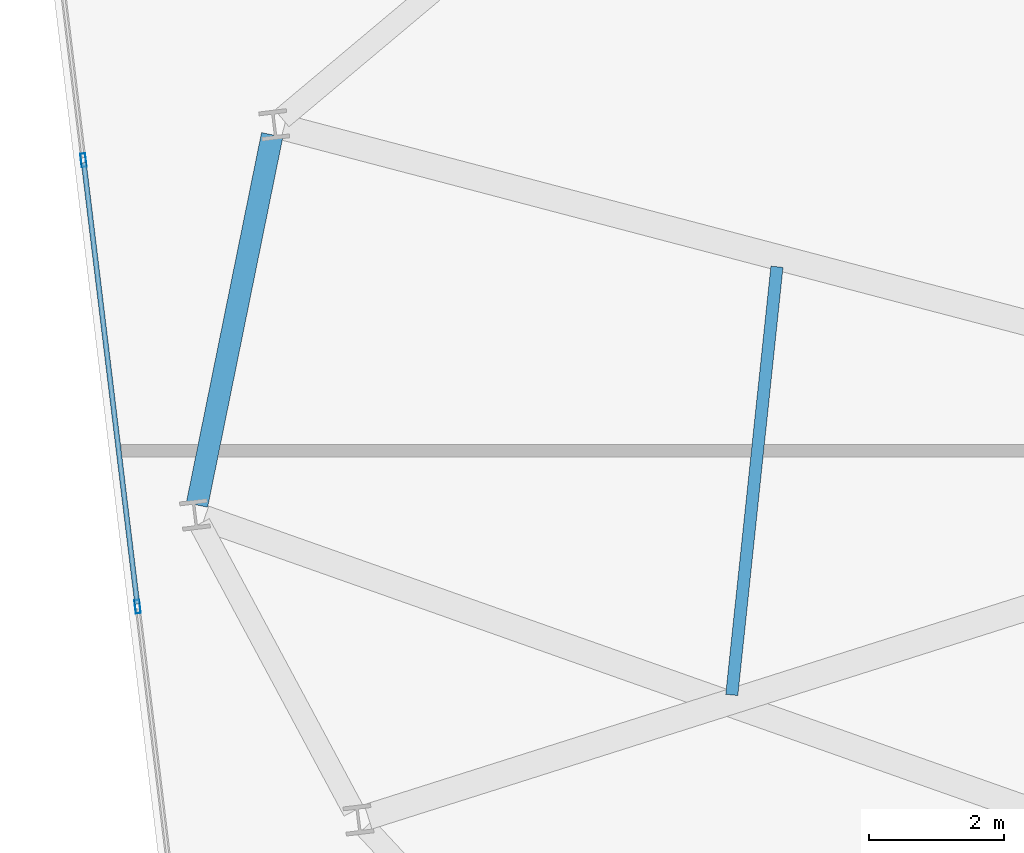
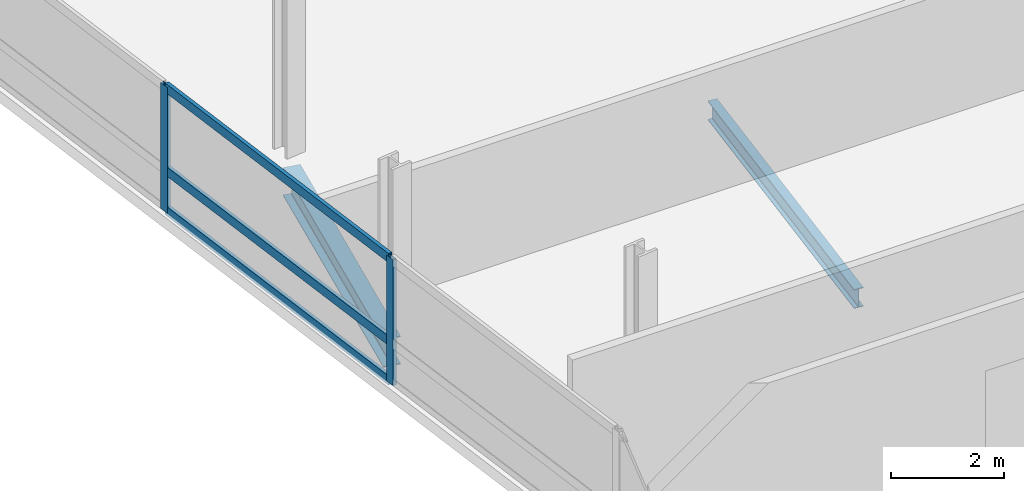
# One storey, part 6 of 23: 5 members, 2 beams, 1 element without a shape of its own.
"""IFC4 building model written with IfcOpenShell, lengths in metres."""

from ifc_helpers import new_model, si_unit, direction, frame, origin, origin_2d, place, context, subcontext, project, spatial, hollow_rectangle, i_section, extrude, material, layer, layer_set, material_profile, profile_set, type_object, element, aggregate, save


model = new_model("IFC4")

# Units and contexts
model_context = context("Model", 3, precision=1e-05, world=origin(), true_north=direction((0.0, 1.0)))
body_context = subcontext(model_context, "Body", "Model", "MODEL_VIEW")
ifc_project = project(units=[si_unit("LENGTHUNIT", "METRE"), si_unit("AREAUNIT", "SQUARE_METRE"), si_unit("VOLUMEUNIT", "CUBIC_METRE"), si_unit("PLANEANGLEUNIT", "RADIAN"), si_unit("MASSUNIT", "GRAM", prefix="KILO")], contexts=[model_context])

# Site, building, storey
site_placement = place(None, origin())
site = spatial("IfcSite", under=ifc_project, at=site_placement, CompositionType="ELEMENT")
building_placement = place(site_placement, origin())
building = spatial("IfcBuilding", under=site, at=building_placement, Name="Varnelok Gate Tower", CompositionType="ELEMENT")
storey_placement = place(building_placement, frame((0.0, 0.0, 170.89990234375)))
storey = spatial("IfcBuildingStorey", under=building, at=storey_placement, Name="L43", CompositionType="ELEMENT", Elevation=170.89990234375)

# Beams
ifc_material_1 = material(Name="Structural Steel ASTM A992 Grade 50", Category="steel")
ifc_material_profile_1 = material_profile(ifc_material_1, i_section(OverallWidth=0.180908203125, OverallDepth=0.4169921875, WebThickness=0.010986328125, FlangeThickness=0.018310546875, FilletRadius=0.013916015625, at=origin_2d()), Name="W16X57")
ifc_profile_set_1 = profile_set([ifc_material_profile_1], Name="Structural Steel ASTM A992 Grade 50")
beam_type_1 = type_object("IfcBeamType", Name="BM-JST-W16X57", PredefinedType="JOIST", material=ifc_profile_set_1)
beam_1_placement = place(storey_placement, frame((13.3916015625, 29.432861328125, -0.45849609375), z_axis=(-0.104937140232, -0.994478856789, 0.0), x_axis=(0.994478856789, -0.104937140232, 0.0)))
element("IfcBeam", 1, at=beam_1_placement, inside=storey, type_object=beam_type_1, Name="L43 Sector Floor Joist 11", PredefinedType="JOIST", context=body_context, shape_type="SweptSolid", body=[
    extrude(i_section(OverallWidth=0.180908203125, OverallDepth=0.4169921875, WebThickness=0.010986328125, FlangeThickness=0.018310546875, FilletRadius=0.013916015625, at=origin_2d()), origin(), (0.0, 0.0, 1.0), 6.395751953125),
])
ifc_material_profile_2 = material_profile(ifc_material_1, i_section(OverallWidth=0.323974609375, OverallDepth=0.611083984375, WebThickness=0.0126953125, FlangeThickness=0.01904296875, FilletRadius=0.01806640625, at=origin_2d()), Name="W24X104")
ifc_profile_set_2 = profile_set([ifc_material_profile_2], Name="Structural Steel ASTM A992 Grade 50")
beam_type_2 = type_object("IfcBeamType", Name="BM-SPN-W24X104", PredefinedType="SPANDREL", material=ifc_profile_set_2)
beam_2_placement = place(storey_placement, frame((5.893310546875, 31.393798828125, -0.555419921875), z_axis=(-0.199143476404, -0.97997034435, 0.0), x_axis=(0.97997034435, -0.199143476404, 0.0)))
element("IfcBeam", 2, at=beam_2_placement, inside=storey, type_object=beam_type_2, Name="L43 Perimeter Spandrel Beam 14", PredefinedType="SPANDREL", context=body_context, shape_type="SweptSolid", body=[
    extrude(i_section(OverallWidth=0.323974609375, OverallDepth=0.611083984375, WebThickness=0.0126953125, FlangeThickness=0.01904296875, FilletRadius=0.01806640625, at=origin_2d()), origin(), (0.0, 0.0, 1.0), 5.6123046875),
])

# Curtain wall, members
ifc_material_2 = material(Name="Anodized Aluminum Alloy 6063-T6", Category="aluminium")
ifc_layer = layer(ifc_material_2, 0.179931640625)
ifc_layer_set = layer_set([ifc_layer], Name="Anodized Aluminum Alloy 6063-T6")
curtain_wall_type = type_object("IfcCurtainWallType", Name="CW4-RESIDENCE-VISION", PredefinedType="USERDEFINED", material=ifc_layer_set)
curtain_wall_placement = place(storey_placement, origin())
curtain_wall = element("IfcCurtainWall", 3, at=curtain_wall_placement, inside=storey, type_object=curtain_wall_type, Name="L43 West End Vision Curtain Wall", ObjectType="UNITISED CURTAIN WALL", PredefinedType="USERDEFINED")
ifc_material_profile_3 = material_profile(ifc_material_2, hollow_rectangle(XDim=0.074951171875, YDim=0.199951171875, WallThickness=0.00390625, at=origin_2d()), Name="ALU200X75X4")
ifc_profile_set_3 = profile_set([ifc_material_profile_3], Name="Anodized Aluminum Alloy 6063-T6")
member_type_1 = type_object("IfcMemberType", Name="CW-MULL-200", PredefinedType="MULLION", material=ifc_profile_set_3)
member_1_placement = place(storey_placement, frame((3.8935546875, 24.384521484375, 0.0), z_axis=(0.0, 0.0, 1.0), x_axis=(-0.992732188751, -0.120344511371, 0.0)))
member_1 = element("IfcMember", 4, at=member_1_placement, type_object=member_type_1, Name="CW4 mullion 4", PredefinedType="MULLION", context=body_context, shape_type="SweptSolid", body=[
    extrude(hollow_rectangle(XDim=0.074951171875, YDim=0.199951171875, WallThickness=0.00390625, at=origin_2d()), origin(), (0.0, 0.0, 1.0), 2.72998046875),
])
member_2_placement = place(storey_placement, frame((3.089599609375, 31.015869140625, 0.0), z_axis=(0.0, 0.0, 1.0), x_axis=(-0.992732188751, -0.120344511371, 0.0)))
member_2 = element("IfcMember", 5, at=member_2_placement, type_object=member_type_1, Name="CW4 mullion 5", PredefinedType="MULLION", context=body_context, shape_type="SweptSolid", body=[
    extrude(hollow_rectangle(XDim=0.074951171875, YDim=0.199951171875, WallThickness=0.00390625, at=origin_2d()), origin(), (0.0, 0.0, 1.0), 2.72998046875),
])
ifc_material_profile_4 = material_profile(ifc_material_2, hollow_rectangle(XDim=0.074951171875, YDim=0.199951171875, WallThickness=0.00390625, at=origin_2d()), Name="ALU200X75X4")
ifc_profile_set_4 = profile_set([ifc_material_profile_4], Name="Anodized Aluminum Alloy 6063-T6")
member_type_2 = type_object("IfcMemberType", Name="CW-TRAN-200", PredefinedType="USERDEFINED", material=ifc_profile_set_4)
member_3_placement = place(storey_placement, frame((3.88916015625, 24.421630859375, 0.03759765625), z_axis=(-0.120353445289, 0.992731105691, 0.0), x_axis=(-0.992731105691, -0.120353445289, 0.0)))
member_3 = element("IfcMember", 6, at=member_3_placement, type_object=member_type_2, Name="CW4 transom 4.1", ObjectType="TRANSOM", PredefinedType="USERDEFINED", context=body_context, shape_type="SweptSolid", body=[
    extrude(hollow_rectangle(XDim=0.074951171875, YDim=0.199951171875, WallThickness=0.00390625, at=origin_2d()), origin(), (0.0, 0.0, 1.0), 6.60498046875),
])
member_4_placement = place(storey_placement, frame((3.88916015625, 24.421630859375, 0.900146484375), z_axis=(-0.120353445289, 0.992731105691, 0.0), x_axis=(-0.992731105691, -0.120353445289, 0.0)))
member_4 = element("IfcMember", 7, at=member_4_placement, type_object=member_type_2, Name="CW4 transom 4.2", ObjectType="TRANSOM", PredefinedType="USERDEFINED", context=body_context, shape_type="SweptSolid", body=[
    extrude(hollow_rectangle(XDim=0.074951171875, YDim=0.199951171875, WallThickness=0.00390625, at=origin_2d()), origin(), (0.0, 0.0, 1.0), 6.60498046875),
])
member_5_placement = place(storey_placement, frame((3.88916015625, 24.421630859375, 2.692626953125), z_axis=(-0.120353445289, 0.992731105691, 0.0), x_axis=(-0.992731105691, -0.120353445289, 0.0)))
member_5 = element("IfcMember", 8, at=member_5_placement, type_object=member_type_2, Name="CW4 transom 4.3", ObjectType="TRANSOM", PredefinedType="USERDEFINED", context=body_context, shape_type="SweptSolid", body=[
    extrude(hollow_rectangle(XDim=0.074951171875, YDim=0.199951171875, WallThickness=0.00390625, at=origin_2d()), origin(), (0.0, 0.0, 1.0), 6.60498046875),
])
aggregate(curtain_wall, [member_1, member_2, member_3, member_4, member_5])

save(model, "model.ifc")
